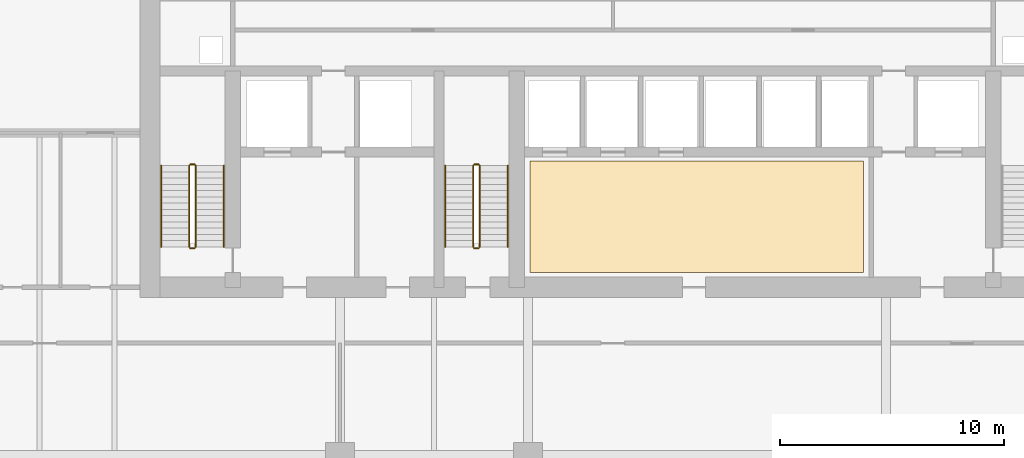
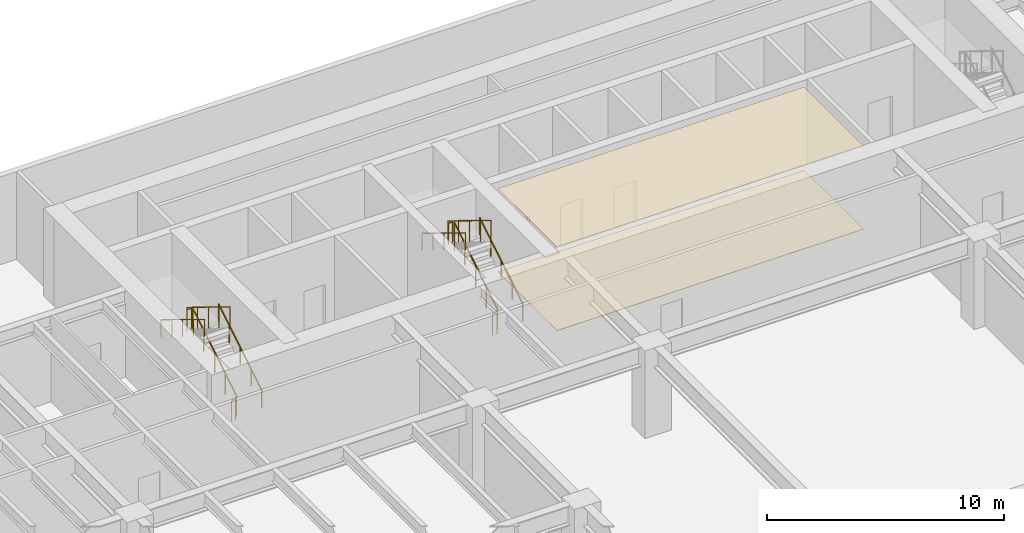
# One storey, part 12 of 13: 12 railings, 2 coverings.
"""IFC4 building model written with IfcOpenShell, lengths in metres."""

from ifc_helpers import new_model, si_unit, direction, frame, origin, origin_2d, place, context, subcontext, project, spatial, polyline, circle, outline, extrude, material, layer, layer_set, type_object, element, save


model = new_model("IFC4")

# Units and contexts
model_context = context("Model", 3, precision=1e-05, world=origin(), true_north=direction((0.0, 1.0)))
body_context = subcontext(model_context, "Body", "Model", "MODEL_VIEW")
ifc_project = project(units=[si_unit("LENGTHUNIT", "METRE"), si_unit("AREAUNIT", "SQUARE_METRE"), si_unit("VOLUMEUNIT", "CUBIC_METRE"), si_unit("PLANEANGLEUNIT", "RADIAN"), si_unit("MASSUNIT", "GRAM", prefix="KILO")], contexts=[model_context])

# Site, building, storey
site_placement = place(None, origin())
site = spatial("IfcSite", under=ifc_project, at=site_placement, CompositionType="ELEMENT")
building_placement = place(site_placement, origin())
building = spatial("IfcBuilding", under=site, at=building_placement, Name="Caelmar Bay Residences", CompositionType="ELEMENT")
storey_placement = place(building_placement, frame((0.0, 0.0, 5.39990234375)))
storey = spatial("IfcBuildingStorey", under=building, at=storey_placement, Name="L01", CompositionType="ELEMENT", Elevation=5.39990234375)

# Coverings
ifc_material_1 = material(Name="Perforated acoustic gypsum-mineral ceiling tile 20 mm")
ifc_layer_1 = layer(ifc_material_1, 0.02001953125)
ifc_layer_set_1 = layer_set([ifc_layer_1], Name="Perforated acoustic gypsum-mineral ceiling tile 20 mm")
covering_type_1 = type_object("IfcCoveringType", Name="COV-CEIL-20", PredefinedType="CEILING", material=ifc_layer_set_1)
covering_1_placement = place(storey_placement, frame((0.0, 0.0, 4.280029296875)))
element("IfcCovering", 1, at=covering_1_placement, inside=storey, type_object=covering_type_1, Name="L01 Lift Lobby Acoustic Ceiling", PredefinedType="CEILING", context=body_context, shape_type="SweptSolid", body=[
    extrude(outline(polyline([(35.199951171875, 37.550048828125), (50.10009765625, 37.550048828125), (50.10009765625, 42.550048828125), (35.199951171875, 42.550048828125), (35.199951171875, 37.550048828125)])), origin(), (0.0, 0.0, 1.0), 0.02001953125),
])
ifc_material_2 = material(Name="Honed terrazzo and engineered white-oak flooring 20 mm")
ifc_layer_2 = layer(ifc_material_2, 0.02001953125)
ifc_layer_set_2 = layer_set([ifc_layer_2], Name="Honed terrazzo and engineered white-oak flooring 20 mm")
covering_type_2 = type_object("IfcCoveringType", Name="COV-FLR-20", PredefinedType="FLOORING", material=ifc_layer_set_2)
covering_2_placement = place(storey_placement, origin())
element("IfcCovering", 2, at=covering_2_placement, inside=storey, type_object=covering_type_2, Name="L01 Lift Lobby Terrazzo Flooring", PredefinedType="FLOORING", context=body_context, shape_type="SweptSolid", body=[
    extrude(outline(polyline([(35.199951171875, 37.550048828125), (50.10009765625, 37.550048828125), (50.10009765625, 42.550048828125), (35.199951171875, 42.550048828125), (35.199951171875, 37.550048828125)])), origin(), (0.0, 0.0, 1.0), 0.02001953125),
])

# Railings
ifc_material_3 = material(Name="Painted galvanized steel stair guard 1100 mm", Category="steel")
railing_type_1 = type_object("IfcRailingType", Name="RL-GRD-1100", PredefinedType="GUARDRAIL", material=ifc_material_3)
railing_1_placement = place(storey_placement, frame((20.25, 38.699951171875, 0.171630859375)))
element("IfcRailing", 3, at=railing_1_placement, inside=storey, type_object=railing_type_1, Name="L01 ST1 stair guard 1", PredefinedType="GUARDRAIL", context=body_context, shape_type="SweptSolid", body=[
    extrude(circle(Radius=0.02392578125, at=origin_2d()), frame((0.0, 0.0, 1.076171875), z_axis=(0.0, 0.852865859571, 0.52213008492), x_axis=(-1.0, 0.0, 0.0)), (0.0, 0.0, 1.0), 4.26806640625),
    extrude(circle(Radius=0.02099609375, at=origin_2d()), origin(), (0.0, 0.0, 1.0), 1.052001953125),
    extrude(circle(Radius=0.02099609375, at=origin_2d()), frame((0.0, 0.91015625, 0.55712890625)), (0.0, 0.0, 1.0), 1.052001953125),
    extrude(circle(Radius=0.02099609375, at=origin_2d()), frame((0.0, 1.820068359375, 1.1142578125)), (0.0, 0.0, 1.0), 1.052001953125),
    extrude(circle(Radius=0.02099609375, at=origin_2d()), frame((0.0, 2.72998046875, 1.67138671875)), (0.0, 0.0, 1.0), 1.052001953125),
    extrude(circle(Radius=0.02099609375, at=origin_2d()), frame((0.0, 3.64013671875, 2.228515625)), (0.0, 0.0, 1.0), 1.052001953125),
])
railing_2_placement = place(storey_placement, frame((20.199951171875, 42.389892578125, 2.400146484375)))
element("IfcRailing", 4, at=railing_2_placement, inside=storey, type_object=railing_type_1, Name="L01 ST1 stair guard 2", PredefinedType="GUARDRAIL", context=body_context, shape_type="SweptSolid", body=[
    extrude(circle(Radius=0.02392578125, at=origin_2d()), frame((0.0, 0.0, 1.076171875), z_axis=(-1.0, 0.0, 0.0), x_axis=(0.0, -1.0, 0.0)), (0.0, 0.0, 1.0), 0.199951171875),
    extrude(circle(Radius=0.02099609375, at=origin_2d()), origin(), (0.0, 0.0, 1.0), 1.052001953125),
    extrude(circle(Radius=0.02099609375, at=origin_2d()), frame((-0.199951171875, 0.0, 0.0)), (0.0, 0.0, 1.0), 1.052001953125),
])
railing_3_placement = place(storey_placement, frame((19.949951171875, 42.340087890625, 2.571533203125)))
element("IfcRailing", 5, at=railing_3_placement, inside=storey, type_object=railing_type_1, Name="L01 ST1 stair guard 3", PredefinedType="GUARDRAIL", context=body_context, shape_type="SweptSolid", body=[
    extrude(circle(Radius=0.02392578125, at=origin_2d()), frame((0.0, 0.0, 1.076171875), z_axis=(0.0, -0.852865859571, 0.52213008492), x_axis=(1.0, 0.0, 0.0)), (0.0, 0.0, 1.0), 4.26806640625),
    extrude(circle(Radius=0.02099609375, at=origin_2d()), origin(), (0.0, 0.0, 1.0), 1.052001953125),
    extrude(circle(Radius=0.02099609375, at=origin_2d()), frame((0.0, -0.91015625, 0.55712890625)), (0.0, 0.0, 1.0), 1.052001953125),
    extrude(circle(Radius=0.02099609375, at=origin_2d()), frame((0.0, -1.820068359375, 1.1142578125)), (0.0, 0.0, 1.0), 1.052001953125),
    extrude(circle(Radius=0.02099609375, at=origin_2d()), frame((0.0, -2.72998046875, 1.67138671875)), (0.0, 0.0, 1.0), 1.052001953125),
    extrude(circle(Radius=0.02099609375, at=origin_2d()), frame((0.0, -3.64013671875, 2.228515625)), (0.0, 0.0, 1.0), 1.052001953125),
])
railing_4_placement = place(storey_placement, frame((20.199951171875, 38.64990234375, 0.0)))
element("IfcRailing", 6, at=railing_4_placement, inside=storey, type_object=railing_type_1, Name="L01 ST1 stair guard 4", PredefinedType="GUARDRAIL", context=body_context, shape_type="SweptSolid", body=[
    extrude(circle(Radius=0.02392578125, at=origin_2d()), frame((0.0, 0.0, 1.076171875), z_axis=(-1.0, 0.0, 0.0), x_axis=(0.0, -1.0, 0.0)), (0.0, 0.0, 1.0), 0.199951171875),
    extrude(circle(Radius=0.02099609375, at=origin_2d()), origin(), (0.0, 0.0, 1.0), 1.052001953125),
    extrude(circle(Radius=0.02099609375, at=origin_2d()), frame((-0.199951171875, 0.0, 0.0)), (0.0, 0.0, 1.0), 1.052001953125),
])
railing_5_placement = place(storey_placement, frame((32.949951171875, 38.699951171875, 0.171630859375)))
element("IfcRailing", 7, at=railing_5_placement, inside=storey, type_object=railing_type_1, Name="L01 ST3 stair guard 1", PredefinedType="GUARDRAIL", context=body_context, shape_type="SweptSolid", body=[
    extrude(circle(Radius=0.02392578125, at=origin_2d()), frame((0.0, 0.0, 1.076171875), z_axis=(0.0, 0.852865859571, 0.52213008492), x_axis=(-1.0, 0.0, 0.0)), (0.0, 0.0, 1.0), 4.26806640625),
    extrude(circle(Radius=0.02099609375, at=origin_2d()), origin(), (0.0, 0.0, 1.0), 1.052001953125),
    extrude(circle(Radius=0.02099609375, at=origin_2d()), frame((0.0, 0.91015625, 0.55712890625)), (0.0, 0.0, 1.0), 1.052001953125),
    extrude(circle(Radius=0.02099609375, at=origin_2d()), frame((0.0, 1.820068359375, 1.1142578125)), (0.0, 0.0, 1.0), 1.052001953125),
    extrude(circle(Radius=0.02099609375, at=origin_2d()), frame((0.0, 2.72998046875, 1.67138671875)), (0.0, 0.0, 1.0), 1.052001953125),
    extrude(circle(Radius=0.02099609375, at=origin_2d()), frame((0.0, 3.64013671875, 2.228515625)), (0.0, 0.0, 1.0), 1.052001953125),
])
railing_6_placement = place(storey_placement, frame((32.89990234375, 42.389892578125, 2.400146484375)))
element("IfcRailing", 8, at=railing_6_placement, inside=storey, type_object=railing_type_1, Name="L01 ST3 stair guard 2", PredefinedType="GUARDRAIL", context=body_context, shape_type="SweptSolid", body=[
    extrude(circle(Radius=0.02392578125, at=origin_2d()), frame((0.0, 0.0, 1.076171875), z_axis=(-1.0, 0.0, 0.0), x_axis=(0.0, -1.0, 0.0)), (0.0, 0.0, 1.0), 0.199951171875),
    extrude(circle(Radius=0.02099609375, at=origin_2d()), origin(), (0.0, 0.0, 1.0), 1.052001953125),
    extrude(circle(Radius=0.02099609375, at=origin_2d()), frame((-0.199951171875, 0.0, 0.0)), (0.0, 0.0, 1.0), 1.052001953125),
])
railing_7_placement = place(storey_placement, frame((32.64990234375, 42.340087890625, 2.571533203125)))
element("IfcRailing", 9, at=railing_7_placement, inside=storey, type_object=railing_type_1, Name="L01 ST3 stair guard 3", PredefinedType="GUARDRAIL", context=body_context, shape_type="SweptSolid", body=[
    extrude(circle(Radius=0.02392578125, at=origin_2d()), frame((0.0, 0.0, 1.076171875), z_axis=(0.0, -0.852865859571, 0.52213008492), x_axis=(1.0, 0.0, 0.0)), (0.0, 0.0, 1.0), 4.26806640625),
    extrude(circle(Radius=0.02099609375, at=origin_2d()), origin(), (0.0, 0.0, 1.0), 1.052001953125),
    extrude(circle(Radius=0.02099609375, at=origin_2d()), frame((0.0, -0.91015625, 0.55712890625)), (0.0, 0.0, 1.0), 1.052001953125),
    extrude(circle(Radius=0.02099609375, at=origin_2d()), frame((0.0, -1.820068359375, 1.1142578125)), (0.0, 0.0, 1.0), 1.052001953125),
    extrude(circle(Radius=0.02099609375, at=origin_2d()), frame((0.0, -2.72998046875, 1.67138671875)), (0.0, 0.0, 1.0), 1.052001953125),
    extrude(circle(Radius=0.02099609375, at=origin_2d()), frame((0.0, -3.64013671875, 2.228515625)), (0.0, 0.0, 1.0), 1.052001953125),
])
railing_8_placement = place(storey_placement, frame((32.89990234375, 38.64990234375, 0.0)))
element("IfcRailing", 10, at=railing_8_placement, inside=storey, type_object=railing_type_1, Name="L01 ST3 stair guard 4", PredefinedType="GUARDRAIL", context=body_context, shape_type="SweptSolid", body=[
    extrude(circle(Radius=0.02392578125, at=origin_2d()), frame((0.0, 0.0, 1.076171875), z_axis=(-1.0, 0.0, 0.0), x_axis=(0.0, -1.0, 0.0)), (0.0, 0.0, 1.0), 0.199951171875),
    extrude(circle(Radius=0.02099609375, at=origin_2d()), origin(), (0.0, 0.0, 1.0), 1.052001953125),
    extrude(circle(Radius=0.02099609375, at=origin_2d()), frame((-0.199951171875, 0.0, 0.0)), (0.0, 0.0, 1.0), 1.052001953125),
])
ifc_material_4 = material(Name="Brushed bronze stainless-steel tubular handrail 900 mm", Category="steel")
railing_type_2 = type_object("IfcRailingType", Name="RL-HND-900", PredefinedType="HANDRAIL", material=ifc_material_4)
railing_9_placement = place(storey_placement, frame((21.5, 38.699951171875, 0.171630859375)))
element("IfcRailing", 11, at=railing_9_placement, inside=storey, type_object=railing_type_2, Name="L01 ST1 stair handrail 1", PredefinedType="HANDRAIL", context=body_context, shape_type="SweptSolid", body=[
    extrude(circle(Radius=0.02392578125, at=origin_2d()), frame((0.0, 0.0, 0.8759765625), z_axis=(0.0, 0.852865859571, 0.52213008492), x_axis=(-1.0, 0.0, 0.0)), (0.0, 0.0, 1.0), 4.26806640625),
    extrude(circle(Radius=0.02099609375, at=origin_2d()), origin(), (0.0, 0.0, 1.0), 0.851806640625),
    extrude(circle(Radius=0.02099609375, at=origin_2d()), frame((0.0, 0.91015625, 0.55712890625)), (0.0, 0.0, 1.0), 0.851806640625),
    extrude(circle(Radius=0.02099609375, at=origin_2d()), frame((0.0, 1.820068359375, 1.1142578125)), (0.0, 0.0, 1.0), 0.851806640625),
    extrude(circle(Radius=0.02099609375, at=origin_2d()), frame((0.0, 2.72998046875, 1.67138671875)), (0.0, 0.0, 1.0), 0.851806640625),
    extrude(circle(Radius=0.02099609375, at=origin_2d()), frame((0.0, 3.64013671875, 2.228515625)), (0.0, 0.0, 1.0), 0.851806640625),
])
railing_10_placement = place(storey_placement, frame((18.699951171875, 42.340087890625, 2.571533203125)))
element("IfcRailing", 12, at=railing_10_placement, inside=storey, type_object=railing_type_2, Name="L01 ST1 stair handrail 2", PredefinedType="HANDRAIL", context=body_context, shape_type="SweptSolid", body=[
    extrude(circle(Radius=0.02392578125, at=origin_2d()), frame((0.0, 0.0, 0.8759765625), z_axis=(0.0, -0.852865859571, 0.52213008492), x_axis=(1.0, 0.0, 0.0)), (0.0, 0.0, 1.0), 4.26806640625),
    extrude(circle(Radius=0.02099609375, at=origin_2d()), origin(), (0.0, 0.0, 1.0), 0.851806640625),
    extrude(circle(Radius=0.02099609375, at=origin_2d()), frame((0.0, -0.91015625, 0.55712890625)), (0.0, 0.0, 1.0), 0.851806640625),
    extrude(circle(Radius=0.02099609375, at=origin_2d()), frame((0.0, -1.820068359375, 1.1142578125)), (0.0, 0.0, 1.0), 0.851806640625),
    extrude(circle(Radius=0.02099609375, at=origin_2d()), frame((0.0, -2.72998046875, 1.67138671875)), (0.0, 0.0, 1.0), 0.851806640625),
    extrude(circle(Radius=0.02099609375, at=origin_2d()), frame((0.0, -3.64013671875, 2.228515625)), (0.0, 0.0, 1.0), 0.851806640625),
])
railing_11_placement = place(storey_placement, frame((34.199951171875, 38.699951171875, 0.171630859375)))
element("IfcRailing", 13, at=railing_11_placement, inside=storey, type_object=railing_type_2, Name="L01 ST3 stair handrail 1", PredefinedType="HANDRAIL", context=body_context, shape_type="SweptSolid", body=[
    extrude(circle(Radius=0.02392578125, at=origin_2d()), frame((0.0, 0.0, 0.8759765625), z_axis=(0.0, 0.852865859571, 0.52213008492), x_axis=(-1.0, 0.0, 0.0)), (0.0, 0.0, 1.0), 4.26806640625),
    extrude(circle(Radius=0.02099609375, at=origin_2d()), origin(), (0.0, 0.0, 1.0), 0.851806640625),
    extrude(circle(Radius=0.02099609375, at=origin_2d()), frame((0.0, 0.91015625, 0.55712890625)), (0.0, 0.0, 1.0), 0.851806640625),
    extrude(circle(Radius=0.02099609375, at=origin_2d()), frame((0.0, 1.820068359375, 1.1142578125)), (0.0, 0.0, 1.0), 0.851806640625),
    extrude(circle(Radius=0.02099609375, at=origin_2d()), frame((0.0, 2.72998046875, 1.67138671875)), (0.0, 0.0, 1.0), 0.851806640625),
    extrude(circle(Radius=0.02099609375, at=origin_2d()), frame((0.0, 3.64013671875, 2.228515625)), (0.0, 0.0, 1.0), 0.851806640625),
])
railing_12_placement = place(storey_placement, frame((31.39990234375, 42.340087890625, 2.571533203125)))
element("IfcRailing", 14, at=railing_12_placement, inside=storey, type_object=railing_type_2, Name="L01 ST3 stair handrail 2", PredefinedType="HANDRAIL", context=body_context, shape_type="SweptSolid", body=[
    extrude(circle(Radius=0.02392578125, at=origin_2d()), frame((0.0, 0.0, 0.8759765625), z_axis=(0.0, -0.852865859571, 0.52213008492), x_axis=(1.0, 0.0, 0.0)), (0.0, 0.0, 1.0), 4.26806640625),
    extrude(circle(Radius=0.02099609375, at=origin_2d()), origin(), (0.0, 0.0, 1.0), 0.851806640625),
    extrude(circle(Radius=0.02099609375, at=origin_2d()), frame((0.0, -0.91015625, 0.55712890625)), (0.0, 0.0, 1.0), 0.851806640625),
    extrude(circle(Radius=0.02099609375, at=origin_2d()), frame((0.0, -1.820068359375, 1.1142578125)), (0.0, 0.0, 1.0), 0.851806640625),
    extrude(circle(Radius=0.02099609375, at=origin_2d()), frame((0.0, -2.72998046875, 1.67138671875)), (0.0, 0.0, 1.0), 0.851806640625),
    extrude(circle(Radius=0.02099609375, at=origin_2d()), frame((0.0, -3.64013671875, 2.228515625)), (0.0, 0.0, 1.0), 0.851806640625),
])

save(model, "model.ifc")
